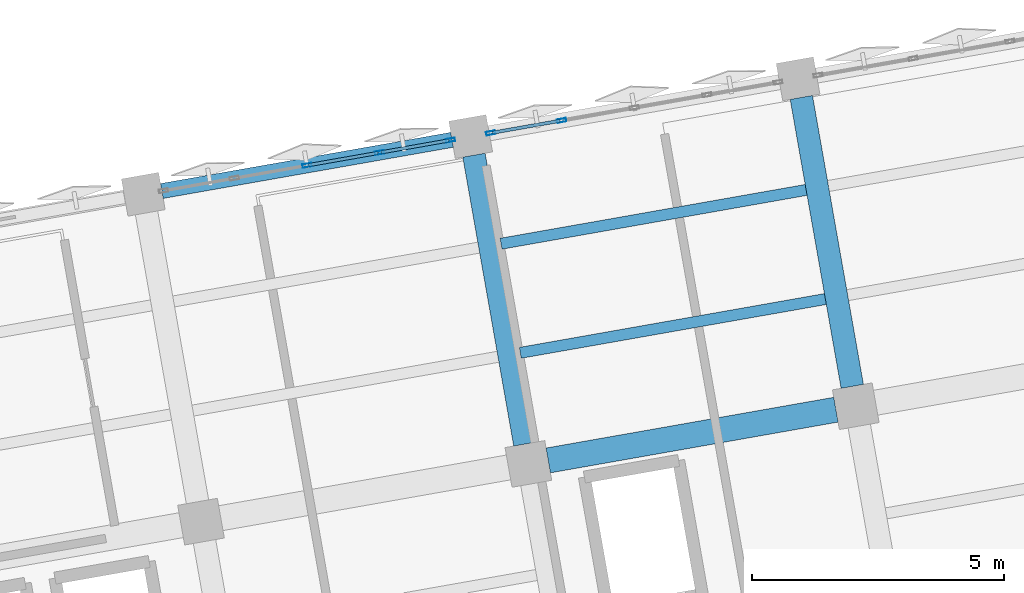
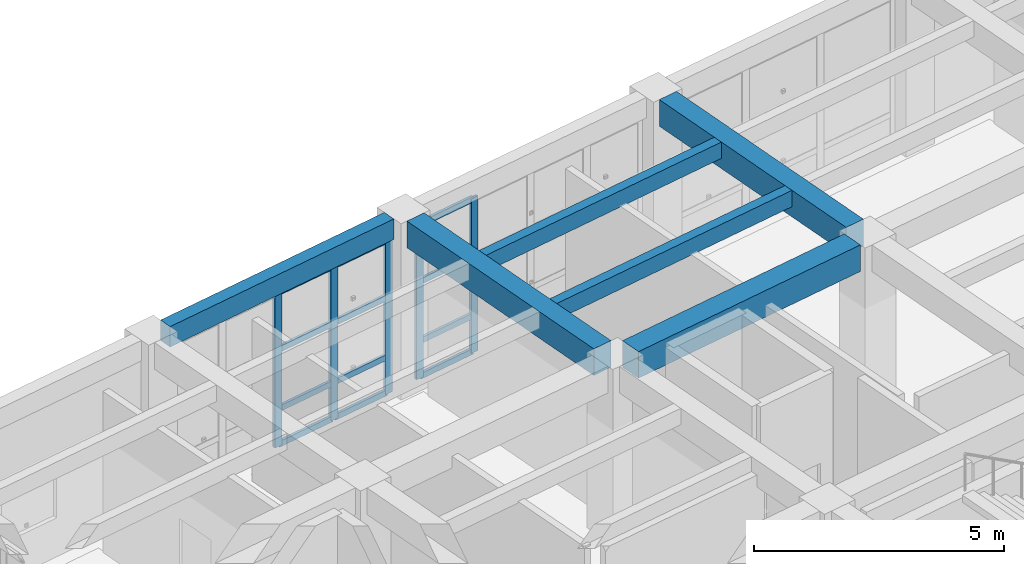
# One storey, part 21 of 80: 17 members, 6 beams, 2 elements without a shape of their own.
"""IFC4 building model written with IfcOpenShell, lengths in metres."""

import ifcopenshell
import ifcopenshell.guid

model = None  # the IFC model being written
_history = None  # IfcOwnerHistory: only IFC2X3 demands one
_inside = {}  # id of a spatial element -> (the spatial element, [elements in it])
_under = {}  # id of a project, library or spatial element -> (it, [spatial elements below it])
_declared = {}  # id of a project -> (the project, [libraries it declares])
_typed = {}  # id of a type object -> (the type object, [elements of that type])
_made_of = {}  # id of a material, layer set ... -> (it, [elements and type objects made of it])


def new_model(schema):
    """Start an empty IFC model of exactly this schema.

    Asked for "IFC4X3", IfcOpenShell would pick the latest addendum, in which some entities
    have other attributes; the version numbers below select the first issue.
    IFC2X3 requires an IfcOwnerHistory on every rooted entity: one is made here for all.
    """
    global model, _history
    if schema == "IFC4X3":
        model = ifcopenshell.file(schema_version=(4, 3, 0, 0))
    else:
        model = ifcopenshell.file(schema=schema)
    _inside.clear()
    _under.clear()
    _declared.clear()
    _typed.clear()
    _made_of.clear()
    _history = None
    if model.schema == "IFC2X3":
        org = make("IfcOrganization", Name="unknown")
        user = make(
            "IfcPersonAndOrganization",
            ThePerson=make("IfcPerson", FamilyName="unknown"),
            TheOrganization=org,
        )
        app = make(
            "IfcApplication",
            ApplicationDeveloper=org,
            Version="unknown",
            ApplicationFullName="unknown",
            ApplicationIdentifier="unknown",
        )
        _history = make(
            "IfcOwnerHistory",
            OwningUser=user,
            OwningApplication=app,
            ChangeAction="ADDED",
            CreationDate=0,
        )
    return model


def make(cls, **values):
    """One entity of the class cls with the attributes given. An attribute that is None is left unset."""
    return model.create_entity(
        cls, **{name: value for name, value in values.items() if value is not None}
    )


def rooted(cls, **values):
    """An entity with a GlobalId (a new one), such as an element, a storey or a relation."""
    return make(cls, GlobalId=ifcopenshell.guid.new(), OwnerHistory=_history, **values)


def si_unit(unit_type, name, prefix=None):
    """IfcSIUnit, for example si_unit("LENGTHUNIT", "METRE", prefix="MILLI")."""
    return make("IfcSIUnit", UnitType=unit_type, Prefix=prefix, Name=name)


def assignment(units):
    """IfcUnitAssignment: the units of a project."""
    return None if units is None else make("IfcUnitAssignment", Units=units)


def point(xyz):
    """IfcCartesianPoint."""
    return None if xyz is None else make("IfcCartesianPoint", Coordinates=xyz)


def direction(xyz):
    """IfcDirection."""
    return None if xyz is None else make("IfcDirection", DirectionRatios=xyz)


def frame(location, z_axis=None, x_axis=None):
    """IfcAxis2Placement3D, a coordinate frame: its origin and axes. An axis left out is left unset."""
    return make(
        "IfcAxis2Placement3D",
        Location=point(location),
        Axis=direction(z_axis),
        RefDirection=direction(x_axis),
    )


def frame_2d(location, x_axis=None):
    """IfcAxis2Placement2D, a coordinate frame in the plane: its origin and x axis."""
    return make(
        "IfcAxis2Placement2D", Location=point(location), RefDirection=direction(x_axis)
    )


def origin():
    """The frame at (0, 0, 0) with its axes left unset."""
    return frame((0.0, 0.0, 0.0))


def origin_2d():
    """The frame at (0, 0) in the plane with its x axis left unset."""
    return frame_2d((0.0, 0.0))


def place(relative_to, where):
    """IfcLocalPlacement: puts the frame where relative to a parent placement (None: the world)."""
    return make(
        "IfcLocalPlacement", PlacementRelTo=relative_to, RelativePlacement=where
    )


def context(
    kind, dimensions, precision=None, world=None, true_north=None, identifier=None
):
    """IfcGeometricRepresentationContext, for example the 3D "Model" context."""
    return make(
        "IfcGeometricRepresentationContext",
        ContextIdentifier=identifier,
        ContextType=kind,
        CoordinateSpaceDimension=dimensions,
        Precision=precision,
        WorldCoordinateSystem=world,
        TrueNorth=true_north,
    )


def subcontext(parent, identifier, kind, view, scale=None):
    """IfcGeometricRepresentationSubContext, for example "Body" below "Model"."""
    return make(
        "IfcGeometricRepresentationSubContext",
        ContextIdentifier=identifier,
        ContextType=kind,
        ParentContext=parent,
        TargetScale=scale,
        TargetView=view,
    )


def project(units=None, contexts=None):
    """IfcProject with its units and contexts."""
    return rooted(
        "IfcProject",
        Name="project",
        RepresentationContexts=contexts,
        UnitsInContext=assignment(units),
    )


def spatial(cls, under=None, at=None, **own):
    """A site, building, storey or space (cls), placed at a placement, below another one or the project."""
    s = rooted(cls, ObjectPlacement=at, **own)
    if under is not None:
        _under.setdefault(under.id(), (under, []))[1].append(s)
    return s


def profile(cls, at=None, kind="AREA", **sizes):
    """A parametric profile (cls). Its sizes go by their IFC names, for example OverallWidth=200.0."""
    return make(cls, ProfileType=kind, Position=at, **sizes)


def rectangle(**sizes):
    """IfcRectangleProfileDef."""
    return profile("IfcRectangleProfileDef", **sizes)


def hollow_rectangle(**sizes):
    """IfcRectangleHollowProfileDef."""
    return profile("IfcRectangleHollowProfileDef", **sizes)


def extrude(swept, where, along, depth):
    """IfcExtrudedAreaSolid: the profile swept, set in the frame where, extruded along a direction by depth."""
    return make(
        "IfcExtrudedAreaSolid",
        SweptArea=swept,
        Position=where,
        ExtrudedDirection=direction(along),
        Depth=depth,
    )


def shape(context_of_items, identifier, shape_type, items):
    """IfcShapeRepresentation: the items that make up one representation, for example the "Body"."""
    return make(
        "IfcShapeRepresentation",
        ContextOfItems=context_of_items,
        RepresentationIdentifier=identifier,
        RepresentationType=shape_type,
        Items=items,
    )


def material(Name=None, Category=None):
    """IfcMaterial."""
    return make("IfcMaterial", Name=Name, Category=Category)


def layer(
    of_material, thickness, ventilated=None, Name=None, Category=None, Priority=None
):
    """IfcMaterialLayer: one layer of a wall or slab, of a material (None: an air gap)."""
    return make(
        "IfcMaterialLayer",
        Material=of_material,
        LayerThickness=thickness,
        IsVentilated=ventilated,
        Name=Name,
        Category=Category,
        Priority=Priority,
    )


def layer_set(layers, Name=None):
    """IfcMaterialLayerSet."""
    return make("IfcMaterialLayerSet", MaterialLayers=layers, LayerSetName=Name)


def material_profile(
    of_material, cross_section, Name=None, Category=None, Priority=None
):
    """IfcMaterialProfile: a cross section and its material."""
    return make(
        "IfcMaterialProfile",
        Name=Name,
        Material=of_material,
        Profile=cross_section,
        Priority=Priority,
        Category=Category,
    )


def profile_set(profiles, Name=None, composite=None):
    """IfcMaterialProfileSet."""
    return make(
        "IfcMaterialProfileSet",
        Name=Name,
        MaterialProfiles=profiles,
        CompositeProfile=composite,
    )


def made_of(thing, what):
    """Note that an element or type object is made of a material, layer set ...; save() writes the relation."""
    if what is not None:
        _made_of.setdefault(what.id(), (what, []))[1].append(thing)
    return thing


def type_object(cls, material=None, **own):
    """A type object (cls), such as IfcWallType, which elements share."""
    return made_of(rooted(cls, **own), material)


def element(
    cls,
    number,
    at=None,
    inside=None,
    cuts=None,
    type_object=None,
    material=None,
    context=None,
    identifier="Body",
    shape_type=None,
    held_by="IfcProductDefinitionShape",
    body=None,
    shapes=None,
    **own,
):
    """One element of the class cls, such as IfcWall. Its Tag is "e" and its number.

    at: its placement. inside: the storey or other place that contains it. cuts: it is an
    opening in that element (IfcRelVoidsElement). A single representation is given by context,
    identifier, shape_type and body (its items); several are given by shapes. held_by: the class
    of the entity that holds the representations. save() writes the other relations.
    """
    e = rooted(cls, Tag="e%d" % number, ObjectPlacement=at, **own)
    if body is not None:
        shapes = [shape(context, identifier, shape_type, body)]
    if shapes is not None:
        e.Representation = make(held_by, Representations=shapes)
    if inside is not None:
        _inside.setdefault(inside.id(), (inside, []))[1].append(e)
    if cuts is not None:
        rooted(
            "IfcRelVoidsElement", RelatingBuildingElement=cuts, RelatedOpeningElement=e
        )
    if type_object is not None:
        _typed.setdefault(type_object.id(), (type_object, []))[1].append(e)
    return made_of(e, material)


def aggregate(whole, parts):
    """IfcRelAggregates: a whole, such as a stair, and the parts it consists of."""
    return rooted("IfcRelAggregates", RelatingObject=whole, RelatedObjects=parts)


def save(model, path):
    """Write the relations noted so far, then the file.

    IfcRelAggregates (storeys below a building ...), IfcRelContainedInSpatialStructure (elements
    in a storey), IfcRelDefinesByType, IfcRelAssociatesMaterial and IfcRelDeclares: one each for
    every whole, place, type object, material and project.
    """
    for whole, parts in _under.values():
        aggregate(whole, parts)
    for where, things in _inside.values():
        rooted(
            "IfcRelContainedInSpatialStructure",
            RelatedElements=things,
            RelatingStructure=where,
        )
    for kind, things in _typed.values():
        rooted("IfcRelDefinesByType", RelatedObjects=things, RelatingType=kind)
    for what, things in _made_of.values():
        rooted("IfcRelAssociatesMaterial", RelatedObjects=things, RelatingMaterial=what)
    for by, libraries in _declared.values():
        rooted("IfcRelDeclares", RelatingContext=by, RelatedDefinitions=libraries)
    model.write(path)


model = new_model("IFC4")

# Units and contexts
model_context = context("Model", 3, precision=1e-05, world=origin(), true_north=direction((0.0, 1.0)))
body_context = subcontext(model_context, "Body", "Model", "MODEL_VIEW")
ifc_project = project(units=[si_unit("LENGTHUNIT", "METRE"), si_unit("AREAUNIT", "SQUARE_METRE"), si_unit("VOLUMEUNIT", "CUBIC_METRE"), si_unit("PLANEANGLEUNIT", "RADIAN"), si_unit("MASSUNIT", "GRAM", prefix="KILO")], contexts=[model_context])

# Site, building, storey
site_placement = place(None, origin())
site = spatial("IfcSite", under=ifc_project, at=site_placement, CompositionType="ELEMENT")
building_placement = place(site_placement, origin())
building = spatial("IfcBuilding", under=site, at=building_placement, Name="Kharisveld Research Institute", CompositionType="ELEMENT")
storey_placement = place(building_placement, frame((0.0, 0.0, 5.10009765625)))
storey = spatial("IfcBuildingStorey", under=building, at=storey_placement, Name="L01", CompositionType="ELEMENT", Elevation=5.10009765625)

# Beams
ifc_material_1 = material(Name="Concrete C40/50", Category="concrete")
ifc_material_profile_1 = material_profile(ifc_material_1, rectangle(XDim=0.449951171875, YDim=0.64990234375, at=origin_2d()))
ifc_profile_set_1 = profile_set([ifc_material_profile_1], Name="Concrete C40/50")
beam_type_1 = type_object("IfcBeamType", Name="BM_RC_450x650", PredefinedType="BEAM", material=ifc_profile_set_1)
for number, where, z_axis, x_axis, name in (
    (1, (15.837890625, 50.695556640625, 3.98486328125), (-0.173641874505, 0.984808864409, 0.0), (-0.984808864409, -0.173641874505, 0.0), "BM:V1:L01:V2_2"),
    (2, (22.337646484375, 51.841552734375, 3.98486328125), (-0.173641874505, 0.984808864409, 0.0), (-0.984808864409, -0.173641874505, 0.0), "BM:V1:L01:V3_2"),
):
    element("IfcBeam", number, at=place(storey_placement, frame(where, z_axis=z_axis, x_axis=x_axis)), inside=storey, type_object=beam_type_1, Name=name, PredefinedType="BEAM", context=body_context, shape_type="SweptSolid", body=[
        extrude(rectangle(XDim=0.449951171875, YDim=0.64990234375, at=origin_2d()), origin(), (0.0, 0.0, 1.0), 5.824951171875),
    ])
ifc_material_2 = material(Name="Concrete C40/50", Category="concrete")
ifc_material_profile_2 = material_profile(ifc_material_2, rectangle(XDim=0.5, YDim=0.64990234375, at=origin_2d()))
ifc_profile_set_2 = profile_set([ifc_material_profile_2], Name="Concrete C40/50")
beam_type_2 = type_object("IfcBeamType", Name="BM_RC_500x650", PredefinedType="BEAM", material=ifc_profile_set_2)
beam_1_placement = place(storey_placement, frame((16.30126953125, 50.37109375, 3.98486328125), z_axis=(0.984810243831, 0.17363405094, 0.0), x_axis=(-0.17363405094, 0.984810243831, 0.0)))
element("IfcBeam", 3, at=beam_1_placement, inside=storey, type_object=beam_type_2, Name="BM:V1:L01:U2_2", PredefinedType="BEAM", context=body_context, shape_type="SweptSolid", body=[
    extrude(rectangle(XDim=0.5, YDim=0.64990234375, at=origin_2d()), origin(), (0.0, 0.0, 1.0), 5.800048828125),
])

# Curtain wall, members
ifc_material_3 = material(Name="Thermally Broken Aluminium Curtain Wall", Category="aluminium")
ifc_layer_1 = layer(ifc_material_3, 0.159912109375)
ifc_layer_set_1 = layer_set([ifc_layer_1], Name="CW_SYS_03")
curtain_wall_type_1 = type_object("IfcCurtainWallType", Name="CW_SYS_03", PredefinedType="NOTDEFINED", material=ifc_layer_set_1)
curtain_wall_1_placement = place(storey_placement, origin())
curtain_wall_1 = element("IfcCurtainWall", 4, at=curtain_wall_1_placement, inside=storey, type_object=curtain_wall_type_1, Name="CW:V1:L01:N1", PredefinedType="NOTDEFINED")
ifc_material_4 = material(Name="Anodised Aluminium AW-6063-T6", Category="aluminium")
ifc_material_profile_3 = material_profile(ifc_material_4, hollow_rectangle(XDim=0.070068359375, YDim=0.179931640625, WallThickness=0.00439453125, at=origin_2d()))
ifc_profile_set_3 = profile_set([ifc_material_profile_3], Name="Anodised Aluminium AW-6063-T6")
member_type_1 = type_object("IfcMemberType", Name="CW_MUL_180", PredefinedType="MULLION", material=ifc_profile_set_3)
member_1_placement = place(storey_placement, frame((11.511474609375, 56.228271484375, 0.0), z_axis=(0.0, 0.0, 1.0), x_axis=(-0.173648137137, 0.984807760159, 0.0)))
member_1 = element("IfcMember", 5, at=member_1_placement, type_object=member_type_1, Name="CW-03 mullion 3", PredefinedType="MULLION", context=body_context, shape_type="SweptSolid", body=[
    extrude(hollow_rectangle(XDim=0.070068359375, YDim=0.179931640625, WallThickness=0.00439453125, at=origin_2d()), origin(), (0.0, 0.0, 1.0), 3.77978515625),
])
member_2_placement = place(storey_placement, frame((12.9541015625, 56.482666015625, 0.0), z_axis=(0.0, 0.0, 1.0), x_axis=(-0.173648137137, 0.984807760159, 0.0)))
member_2 = element("IfcMember", 6, at=member_2_placement, type_object=member_type_1, Name="CW-03 mullion 4", PredefinedType="MULLION", context=body_context, shape_type="SweptSolid", body=[
    extrude(hollow_rectangle(XDim=0.070068359375, YDim=0.179931640625, WallThickness=0.00439453125, at=origin_2d()), origin(), (0.0, 0.0, 1.0), 3.77978515625),
])
member_3_placement = place(storey_placement, frame((14.3623046875, 56.73095703125, 0.0), z_axis=(0.0, 0.0, 1.0), x_axis=(-0.173648137137, 0.984807760159, 0.0)))
member_3 = element("IfcMember", 7, at=member_3_placement, type_object=member_type_1, Name="CW-03 mullion 5", PredefinedType="MULLION", context=body_context, shape_type="SweptSolid", body=[
    extrude(hollow_rectangle(XDim=0.070068359375, YDim=0.179931640625, WallThickness=0.00439453125, at=origin_2d()), origin(), (0.0, 0.0, 1.0), 3.77978515625),
])

ifc_material_5 = material(Name="Thermally Broken Aluminium Curtain Wall", Category="aluminium")
ifc_layer_2 = layer(ifc_material_5, 0.159912109375)
ifc_layer_set_2 = layer_set([ifc_layer_2], Name="CW_SYS_04")
curtain_wall_type_2 = type_object("IfcCurtainWallType", Name="CW_SYS_04", PredefinedType="NOTDEFINED", material=ifc_layer_set_2)
curtain_wall_2_placement = place(storey_placement, origin())
curtain_wall_2 = element("IfcCurtainWall", 8, at=curtain_wall_2_placement, inside=storey, type_object=curtain_wall_type_2, Name="CW:V1:L01:N2", PredefinedType="NOTDEFINED")
member_4_placement = place(storey_placement, frame((15.16015625, 56.87158203125, 0.0), z_axis=(0.0, 0.0, 1.0), x_axis=(-0.173648107969, 0.984807765302, 0.0)))
member_4 = element("IfcMember", 9, at=member_4_placement, type_object=member_type_1, Name="CW-04 mullion 1", PredefinedType="MULLION", context=body_context, shape_type="SweptSolid", body=[
    extrude(hollow_rectangle(XDim=0.070068359375, YDim=0.179931640625, WallThickness=0.00439453125, at=origin_2d()), origin(), (0.0, 0.0, 1.0), 3.77978515625),
])
member_5_placement = place(storey_placement, frame((16.568359375, 57.119873046875, 0.0), z_axis=(0.0, 0.0, 1.0), x_axis=(-0.173648107969, 0.984807765302, 0.0)))
member_5 = element("IfcMember", 10, at=member_5_placement, type_object=member_type_1, Name="CW-04 mullion 2", PredefinedType="MULLION", context=body_context, shape_type="SweptSolid", body=[
    extrude(hollow_rectangle(XDim=0.070068359375, YDim=0.179931640625, WallThickness=0.00439453125, at=origin_2d()), origin(), (0.0, 0.0, 1.0), 3.77978515625),
])

# Member
ifc_material_6 = material(Name="Anodised Aluminium AW-6063-T6", Category="aluminium")
ifc_material_profile_4 = material_profile(ifc_material_6, hollow_rectangle(XDim=0.06494140625, YDim=0.139892578125, WallThickness=0.00390625, at=origin_2d()))
ifc_profile_set_4 = profile_set([ifc_material_profile_4], Name="Anodised Aluminium AW-6063-T6")
member_type_2 = type_object("IfcMemberType", Name="CW_TRN_140", PredefinedType="USERDEFINED", material=ifc_profile_set_4)
member_6_placement = place(storey_placement, frame((11.5458984375, 56.234375, 0.032470703125), z_axis=(0.984813496547, 0.173615601311, 0.0), x_axis=(-0.173615601311, 0.984813496547, 0.0)))
member_6 = element("IfcMember", 11, at=member_6_placement, type_object=member_type_2, Name="CW-03 transom 3.1", ObjectType="TRANSOM", PredefinedType="USERDEFINED", context=body_context, shape_type="SweptSolid", body=[
    extrude(hollow_rectangle(XDim=0.06494140625, YDim=0.139892578125, WallThickness=0.00390625, at=origin_2d()), origin(), (0.0, 0.0, 1.0), 1.39501953125),
])

member_7_placement = place(storey_placement, frame((11.5458984375, 56.234375, 0.89990234375), z_axis=(0.984813496547, 0.173615601311, 0.0), x_axis=(-0.173615601311, 0.984813496547, 0.0)))
member_7 = element("IfcMember", 12, at=member_7_placement, type_object=member_type_2, Name="CW-03 transom 3.2", ObjectType="TRANSOM", PredefinedType="USERDEFINED", context=body_context, shape_type="SweptSolid", body=[
    extrude(hollow_rectangle(XDim=0.06494140625, YDim=0.139892578125, WallThickness=0.00390625, at=origin_2d()), origin(), (0.0, 0.0, 1.0), 1.39501953125),
])

member_8_placement = place(storey_placement, frame((11.5458984375, 56.234375, 2.349853515625), z_axis=(0.984813496547, 0.173615601311, 0.0), x_axis=(-0.173615601311, 0.984813496547, 0.0)))
member_8 = element("IfcMember", 13, at=member_8_placement, type_object=member_type_2, Name="CW-03 transom 3.3", ObjectType="TRANSOM", PredefinedType="USERDEFINED", context=body_context, shape_type="SweptSolid", body=[
    extrude(hollow_rectangle(XDim=0.06494140625, YDim=0.139892578125, WallThickness=0.00390625, at=origin_2d()), origin(), (0.0, 0.0, 1.0), 1.39501953125),
])

member_9_placement = place(storey_placement, frame((11.5458984375, 56.234375, 3.747314453125), z_axis=(0.984813496547, 0.173615601311, 0.0), x_axis=(-0.173615601311, 0.984813496547, 0.0)))
member_9 = element("IfcMember", 14, at=member_9_placement, type_object=member_type_2, Name="CW-03 transom 3.4", ObjectType="TRANSOM", PredefinedType="USERDEFINED", context=body_context, shape_type="SweptSolid", body=[
    extrude(hollow_rectangle(XDim=0.06494140625, YDim=0.139892578125, WallThickness=0.00390625, at=origin_2d()), origin(), (0.0, 0.0, 1.0), 1.39501953125),
])

member_10_placement = place(storey_placement, frame((12.988525390625, 56.48876953125, 0.032470703125), z_axis=(0.984817876308, 0.173590755813, 0.0), x_axis=(-0.173590755813, 0.984817876308, 0.0)))
member_10 = element("IfcMember", 15, at=member_10_placement, type_object=member_type_2, Name="CW-03 transom 4.1", ObjectType="TRANSOM", PredefinedType="USERDEFINED", context=body_context, shape_type="SweptSolid", body=[
    extrude(hollow_rectangle(XDim=0.06494140625, YDim=0.139892578125, WallThickness=0.00390625, at=origin_2d()), origin(), (0.0, 0.0, 1.0), 1.360107421875),
])

member_11_placement = place(storey_placement, frame((12.988525390625, 56.48876953125, 0.89990234375), z_axis=(0.984817876308, 0.173590755813, 0.0), x_axis=(-0.173590755813, 0.984817876308, 0.0)))
member_11 = element("IfcMember", 16, at=member_11_placement, type_object=member_type_2, Name="CW-03 transom 4.2", ObjectType="TRANSOM", PredefinedType="USERDEFINED", context=body_context, shape_type="SweptSolid", body=[
    extrude(hollow_rectangle(XDim=0.06494140625, YDim=0.139892578125, WallThickness=0.00390625, at=origin_2d()), origin(), (0.0, 0.0, 1.0), 1.360107421875),
])

member_12_placement = place(storey_placement, frame((12.988525390625, 56.48876953125, 2.349853515625), z_axis=(0.984817876308, 0.173590755813, 0.0), x_axis=(-0.173590755813, 0.984817876308, 0.0)))
member_12 = element("IfcMember", 17, at=member_12_placement, type_object=member_type_2, Name="CW-03 transom 4.3", ObjectType="TRANSOM", PredefinedType="USERDEFINED", context=body_context, shape_type="SweptSolid", body=[
    extrude(hollow_rectangle(XDim=0.06494140625, YDim=0.139892578125, WallThickness=0.00390625, at=origin_2d()), origin(), (0.0, 0.0, 1.0), 1.360107421875),
])

member_13_placement = place(storey_placement, frame((12.988525390625, 56.48876953125, 3.747314453125), z_axis=(0.984817876308, 0.173590755813, 0.0), x_axis=(-0.173590755813, 0.984817876308, 0.0)))
member_13 = element("IfcMember", 18, at=member_13_placement, type_object=member_type_2, Name="CW-03 transom 4.4", ObjectType="TRANSOM", PredefinedType="USERDEFINED", context=body_context, shape_type="SweptSolid", body=[
    extrude(hollow_rectangle(XDim=0.06494140625, YDim=0.139892578125, WallThickness=0.00390625, at=origin_2d()), origin(), (0.0, 0.0, 1.0), 1.360107421875),
])

aggregate(curtain_wall_1, [member_1, member_2, member_3, member_6, member_7, member_8, member_9, member_10, member_11, member_12, member_13])

member_14_placement = place(storey_placement, frame((15.194580078125, 56.877685546875, 0.032470703125), z_axis=(0.984787172883, 0.173764852962, 0.0), x_axis=(-0.173764852962, 0.984787172883, 0.0)))
member_14 = element("IfcMember", 19, at=member_14_placement, type_object=member_type_2, Name="CW-04 transom 1.1", ObjectType="TRANSOM", PredefinedType="USERDEFINED", context=body_context, shape_type="SweptSolid", body=[
    extrude(hollow_rectangle(XDim=0.06494140625, YDim=0.139892578125, WallThickness=0.00390625, at=origin_2d()), origin(), (0.0, 0.0, 1.0), 1.360107421875),
])

member_15_placement = place(storey_placement, frame((15.194580078125, 56.877685546875, 0.89990234375), z_axis=(0.984787172883, 0.173764852962, 0.0), x_axis=(-0.173764852962, 0.984787172883, 0.0)))
member_15 = element("IfcMember", 20, at=member_15_placement, type_object=member_type_2, Name="CW-04 transom 1.2", ObjectType="TRANSOM", PredefinedType="USERDEFINED", context=body_context, shape_type="SweptSolid", body=[
    extrude(hollow_rectangle(XDim=0.06494140625, YDim=0.139892578125, WallThickness=0.00390625, at=origin_2d()), origin(), (0.0, 0.0, 1.0), 1.360107421875),
])

member_16_placement = place(storey_placement, frame((15.194580078125, 56.877685546875, 2.349853515625), z_axis=(0.984787172883, 0.173764852962, 0.0), x_axis=(-0.173764852962, 0.984787172883, 0.0)))
member_16 = element("IfcMember", 21, at=member_16_placement, type_object=member_type_2, Name="CW-04 transom 1.3", ObjectType="TRANSOM", PredefinedType="USERDEFINED", context=body_context, shape_type="SweptSolid", body=[
    extrude(hollow_rectangle(XDim=0.06494140625, YDim=0.139892578125, WallThickness=0.00390625, at=origin_2d()), origin(), (0.0, 0.0, 1.0), 1.360107421875),
])

member_17_placement = place(storey_placement, frame((15.194580078125, 56.877685546875, 3.747314453125), z_axis=(0.984787172883, 0.173764852962, 0.0), x_axis=(-0.173764852962, 0.984787172883, 0.0)))
member_17 = element("IfcMember", 22, at=member_17_placement, type_object=member_type_2, Name="CW-04 transom 1.4", ObjectType="TRANSOM", PredefinedType="USERDEFINED", context=body_context, shape_type="SweptSolid", body=[
    extrude(hollow_rectangle(XDim=0.06494140625, YDim=0.139892578125, WallThickness=0.00390625, at=origin_2d()), origin(), (0.0, 0.0, 1.0), 1.360107421875),
])

aggregate(curtain_wall_2, [member_4, member_5, member_14, member_15, member_16, member_17])

# Beams
ifc_material_7 = material(Name="Concrete C40/50", Category="concrete")
ifc_material_profile_5 = material_profile(ifc_material_7, rectangle(XDim=0.300048828125, YDim=0.5, at=origin_2d()))
ifc_profile_set_5 = profile_set([ifc_material_profile_5], Name="Concrete C40/50")
beam_type_3 = type_object("IfcBeamType", Name="SP_RC_300x500", PredefinedType="SPANDREL", material=ifc_profile_set_5)
beam_2_placement = place(storey_placement, frame((8.630859375, 55.720458984375, 4.059814453125), z_axis=(0.984806238245, 0.17365676812, 0.0), x_axis=(-0.17365676812, 0.984806238245, 0.0)))
element("IfcBeam", 23, at=beam_2_placement, inside=storey, type_object=beam_type_3, Name="BM:V1:L01:U1_3", PredefinedType="SPANDREL", context=body_context, shape_type="SweptSolid", body=[
    extrude(rectangle(XDim=0.300048828125, YDim=0.5, at=origin_2d()), origin(), (0.0, 0.0, 1.0), 5.849853515625),
])
ifc_material_8 = material(Name="Concrete C40/50", Category="concrete")
ifc_material_profile_6 = material_profile(ifc_material_8, rectangle(XDim=0.219970703125, YDim=0.39990234375, at=origin_2d()))
ifc_profile_set_6 = profile_set([ifc_material_profile_6], Name="Concrete C40/50")
beam_type_4 = type_object("IfcBeamType", Name="WB_RC_220x400", PredefinedType="JOIST", material=ifc_profile_set_6)
for number, where, z_axis, x_axis, name in (
    (24, (15.746826171875, 52.50732421875, 4.10986328125), (0.984809923515, 0.173635867682, 0.0), (-0.173635867682, 0.984809923515, 0.0), "BM:V1:L01:J_2_2_R1"),
    (25, (15.36474609375, 54.673828125, 4.10986328125), (0.984809923515, 0.173635867682, 0.0), (-0.173635867682, 0.984809923515, 0.0), "BM:V1:L01:J_2_2_R2"),
):
    element("IfcBeam", number, at=place(storey_placement, frame(where, z_axis=z_axis, x_axis=x_axis)), inside=storey, type_object=beam_type_4, Name=name, PredefinedType="JOIST", context=body_context, shape_type="SweptSolid", body=[
        extrude(rectangle(XDim=0.219970703125, YDim=0.39990234375, at=origin_2d()), origin(), (0.0, 0.0, 1.0), 6.150146484375),
    ])

save(model, "model.ifc")
